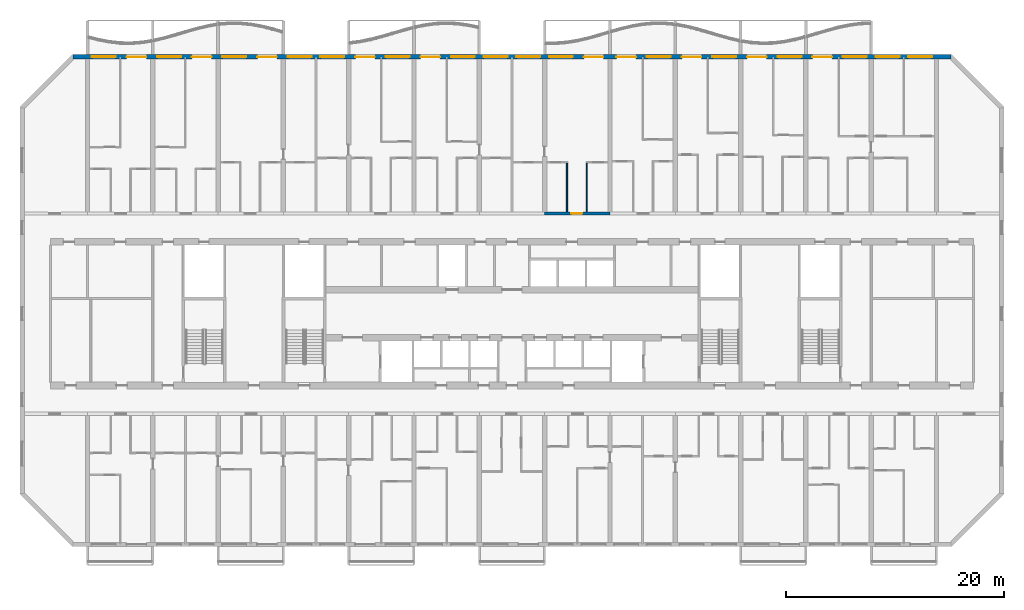
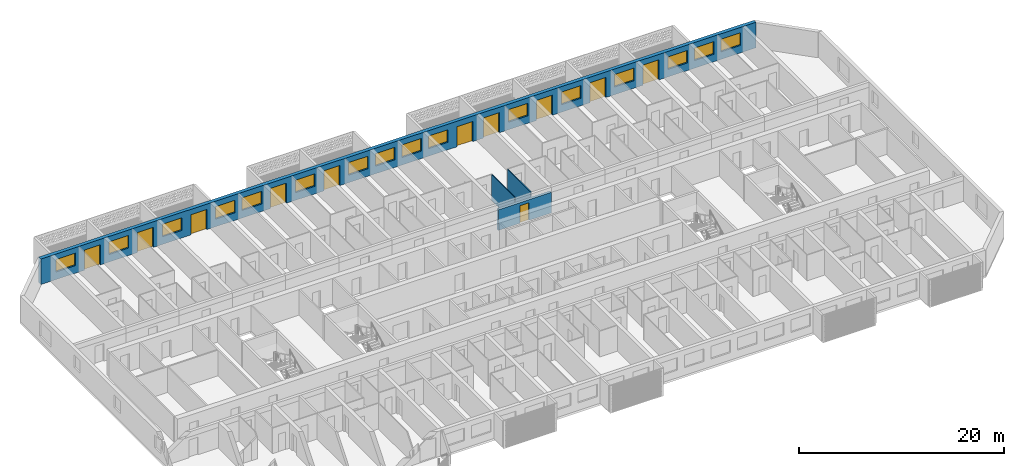
# One storey, part 12 of 39: 16 windows, 11 doors, 4 walls, 27 openings.
"""IFC4 building model written with IfcOpenShell, lengths in metres."""

from ifc_helpers import new_model, si_unit, direction, frame, frame_2d, origin, place, context, subcontext, project, spatial, rectangle, extrude, material, layer, layer_set, type_object, element, fill, save


model = new_model("IFC4")

# Units and contexts
model_context = context("Model", 3, precision=1e-05, world=origin(), true_north=direction((0.0, 1.0)))
body_context = subcontext(model_context, "Body", "Model", "MODEL_VIEW")
ifc_project = project(units=[si_unit("LENGTHUNIT", "METRE"), si_unit("AREAUNIT", "SQUARE_METRE"), si_unit("VOLUMEUNIT", "CUBIC_METRE"), si_unit("PLANEANGLEUNIT", "RADIAN"), si_unit("MASSUNIT", "GRAM", prefix="KILO")], contexts=[model_context])

# Site, building, storey
site_placement = place(None, origin())
site = spatial("IfcSite", under=ifc_project, at=site_placement, CompositionType="ELEMENT")
building_placement = place(site_placement, origin())
building = spatial("IfcBuilding", under=site, at=building_placement, Name="Poui Terraces", CompositionType="ELEMENT")
storey_placement = place(building_placement, frame((0.0, 0.0, 56.39990234375)))
storey = spatial("IfcBuildingStorey", under=building, at=storey_placement, Name="L15", CompositionType="ELEMENT", Elevation=56.39990234375)

# Wall, opening, door
ifc_material_1 = material(Name="Concrete 80 MPa", Category="concrete")
ifc_layer_1 = layer(ifc_material_1, 0.300048828125)
ifc_layer_set_1 = layer_set([ifc_layer_1], Name="Concrete 80 MPa")
wall_type_1 = type_object("IfcWallType", Name="CORRIDOR WALL 300 80MPa", PredefinedType="SHEAR", material=ifc_layer_set_1)
wall_1_placement = place(storey_placement, frame((54.0, 30.39990234375, 0.0), z_axis=(0.0, 0.0, 1.0), x_axis=(1.0, 0.0, 0.0)))
wall_1 = element("IfcWall", 1, at=wall_1_placement, inside=storey, type_object=wall_type_1, Name="CORRIDOR WALL LINE E BAY 9", PredefinedType="SHEAR", context=body_context, shape_type="SweptSolid", body=[
    extrude(rectangle(XDim=6.0, YDim=0.300048828125, at=frame_2d((3.0, 0.0))), origin(), (0.0, 0.0, 1.0), 2.4501953125),
])
opening_1_placement = place(wall_1_placement, frame((2.449951171875, 0.0, 0.0)))
opening_1 = element("IfcOpeningElement", 2, at=opening_1_placement, cuts=wall_1, Name="Opening FD30S", PredefinedType="OPENING", context=body_context, shape_type="SweptSolid", body=[
    extrude(rectangle(XDim=1.0, YDim=2.10009765625, at=frame_2d((0.5, 1.050048828125))), frame((0.0, 0.16015625, 0.0), z_axis=(0.0, -1.0, 0.0), x_axis=(1.0, 0.0, 0.0)), (0.0, 0.0, 1.0), 0.320068359375),
])
ifc_material_2 = material(Name="Steel fire door", Category="steel")
door_type_1 = type_object("IfcDoorType", Name="FLAT ENTRANCE DOOR 1000 X 2100", OperationType="NOTDEFINED", PredefinedType="DOOR", material=ifc_material_2)
door_1_placement = place(opening_1_placement, origin())
door_1 = element("IfcDoor", 3, at=door_1_placement, inside=storey, type_object=door_type_1, Name="FLAT ENTRANCE DOOR 061", OperationType="SINGLE_SWING_LEFT", OverallHeight=2.10009765625, OverallWidth=1.0, PredefinedType="DOOR", context=body_context, shape_type="SweptSolid", body=[
    extrude(rectangle(XDim=1.0, YDim=2.10009765625, at=frame_2d((0.5, 1.050048828125))), frame((0.0, 0.02490234375, 0.0), z_axis=(0.0, -1.0, 0.0), x_axis=(1.0, 0.0, 0.0)), (0.0, 0.0, 1.0), 0.050048828125),
])
fill(opening_1, door_1)

# Wall, openings, doors, windows
ifc_material_3 = material(Name="Precast concrete 40 MPa", Category="concrete")
ifc_layer_2 = layer(ifc_material_3, 0.39990234375)
ifc_layer_set_2 = layer_set([ifc_layer_2], Name="Precast concrete 40 MPa")
wall_type_2 = type_object("IfcWallType", Name="EXTERNAL WALL 400", PredefinedType="STANDARD", material=ifc_layer_set_2)
wall_2_placement = place(storey_placement, frame((91.317138671875, 44.800048828125, 0.0), z_axis=(0.0, 0.0, 1.0), x_axis=(-1.0, 0.0, 0.0)))
wall_2 = element("IfcWall", 4, at=wall_2_placement, inside=storey, type_object=wall_type_2, Name="EXTERNAL WALL N", PredefinedType="STANDARD", context=body_context, shape_type="SweptSolid", body=[
    extrude(rectangle(XDim=80.63427734375, YDim=0.39990234375, at=frame_2d((40.317138671875, 0.0))), origin(), (0.0, 0.0, 1.0), 3.050048828125),
])
opening_2_placement = place(wall_2_placement, frame((76.71728515625, 0.0, 0.89990234375)))
opening_2 = element("IfcOpeningElement", 5, at=opening_2_placement, cuts=wall_2, Name="Opening W1", PredefinedType="OPENING", context=body_context, shape_type="SweptSolid", body=[
    extrude(rectangle(XDim=2.199951171875, YDim=1.5, at=frame_2d((1.10009765625, 0.75))), frame((0.0, 0.2099609375, 0.0), z_axis=(0.0, -1.0, 0.0), x_axis=(1.0, 0.0, 0.0)), (0.0, 0.0, 1.0), 0.419921875),
])
opening_3_placement = place(wall_2_placement, frame((73.917236328125, 0.0, 0.0)))
opening_3 = element("IfcOpeningElement", 6, at=opening_3_placement, cuts=wall_2, Name="Opening BD1", PredefinedType="OPENING", context=body_context, shape_type="SweptSolid", body=[
    extrude(rectangle(XDim=1.800048828125, YDim=2.39990234375, at=frame_2d((0.89990234375, 1.199951171875))), frame((0.0, 0.2099609375, 0.0), z_axis=(0.0, -1.0, 0.0), x_axis=(1.0, 0.0, 0.0)), (0.0, 0.0, 1.0), 0.419921875),
])
opening_4_placement = place(wall_2_placement, frame((70.71728515625, 0.0, 0.89990234375)))
opening_4 = element("IfcOpeningElement", 7, at=opening_4_placement, cuts=wall_2, Name="Opening W1", PredefinedType="OPENING", context=body_context, shape_type="SweptSolid", body=[
    extrude(rectangle(XDim=2.199951171875, YDim=1.5, at=frame_2d((1.10009765625, 0.75))), frame((0.0, 0.2099609375, 0.0), z_axis=(0.0, -1.0, 0.0), x_axis=(1.0, 0.0, 0.0)), (0.0, 0.0, 1.0), 0.419921875),
])
opening_5_placement = place(wall_2_placement, frame((67.917236328125, 0.0, 0.0)))
opening_5 = element("IfcOpeningElement", 8, at=opening_5_placement, cuts=wall_2, Name="Opening BD1", PredefinedType="OPENING", context=body_context, shape_type="SweptSolid", body=[
    extrude(rectangle(XDim=1.800048828125, YDim=2.39990234375, at=frame_2d((0.89990234375, 1.199951171875))), frame((0.0, 0.2099609375, 0.0), z_axis=(0.0, -1.0, 0.0), x_axis=(1.0, 0.0, 0.0)), (0.0, 0.0, 1.0), 0.419921875),
])
opening_6_placement = place(wall_2_placement, frame((64.71728515625, 0.0, 0.89990234375)))
opening_6 = element("IfcOpeningElement", 9, at=opening_6_placement, cuts=wall_2, Name="Opening W1", PredefinedType="OPENING", context=body_context, shape_type="SweptSolid", body=[
    extrude(rectangle(XDim=2.199951171875, YDim=1.5, at=frame_2d((1.10009765625, 0.75))), frame((0.0, 0.2099609375, 0.0), z_axis=(0.0, -1.0, 0.0), x_axis=(1.0, 0.0, 0.0)), (0.0, 0.0, 1.0), 0.419921875),
])
opening_7_placement = place(wall_2_placement, frame((61.917236328125, 0.0, 0.0)))
opening_7 = element("IfcOpeningElement", 10, at=opening_7_placement, cuts=wall_2, Name="Opening BD1", PredefinedType="OPENING", context=body_context, shape_type="SweptSolid", body=[
    extrude(rectangle(XDim=1.800048828125, YDim=2.39990234375, at=frame_2d((0.89990234375, 1.199951171875))), frame((0.0, 0.2099609375, 0.0), z_axis=(0.0, -1.0, 0.0), x_axis=(1.0, 0.0, 0.0)), (0.0, 0.0, 1.0), 0.419921875),
])
opening_8_placement = place(wall_2_placement, frame((58.71728515625, 0.0, 0.89990234375)))
opening_8 = element("IfcOpeningElement", 11, at=opening_8_placement, cuts=wall_2, Name="Opening W1", PredefinedType="OPENING", context=body_context, shape_type="SweptSolid", body=[
    extrude(rectangle(XDim=2.199951171875, YDim=1.5, at=frame_2d((1.10009765625, 0.75))), frame((0.0, 0.2099609375, 0.0), z_axis=(0.0, -1.0, 0.0), x_axis=(1.0, 0.0, 0.0)), (0.0, 0.0, 1.0), 0.419921875),
])
opening_9_placement = place(wall_2_placement, frame((55.71728515625, 0.0, 0.89990234375)))
opening_9 = element("IfcOpeningElement", 12, at=opening_9_placement, cuts=wall_2, Name="Opening W1", PredefinedType="OPENING", context=body_context, shape_type="SweptSolid", body=[
    extrude(rectangle(XDim=2.199951171875, YDim=1.5, at=frame_2d((1.10009765625, 0.75))), frame((0.0, 0.2099609375, 0.0), z_axis=(0.0, -1.0, 0.0), x_axis=(1.0, 0.0, 0.0)), (0.0, 0.0, 1.0), 0.419921875),
])
opening_10_placement = place(wall_2_placement, frame((52.917236328125, 0.0, 0.0)))
opening_10 = element("IfcOpeningElement", 13, at=opening_10_placement, cuts=wall_2, Name="Opening BD1", PredefinedType="OPENING", context=body_context, shape_type="SweptSolid", body=[
    extrude(rectangle(XDim=1.800048828125, YDim=2.39990234375, at=frame_2d((0.89990234375, 1.199951171875))), frame((0.0, 0.2099609375, 0.0), z_axis=(0.0, -1.0, 0.0), x_axis=(1.0, 0.0, 0.0)), (0.0, 0.0, 1.0), 0.419921875),
])
opening_11_placement = place(wall_2_placement, frame((49.71728515625, 0.0, 0.89990234375)))
opening_11 = element("IfcOpeningElement", 14, at=opening_11_placement, cuts=wall_2, Name="Opening W1", PredefinedType="OPENING", context=body_context, shape_type="SweptSolid", body=[
    extrude(rectangle(XDim=2.199951171875, YDim=1.5, at=frame_2d((1.10009765625, 0.75))), frame((0.0, 0.2099609375, 0.0), z_axis=(0.0, -1.0, 0.0), x_axis=(1.0, 0.0, 0.0)), (0.0, 0.0, 1.0), 0.419921875),
])
opening_12_placement = place(wall_2_placement, frame((46.917236328125, 0.0, 0.0)))
opening_12 = element("IfcOpeningElement", 15, at=opening_12_placement, cuts=wall_2, Name="Opening BD1", PredefinedType="OPENING", context=body_context, shape_type="SweptSolid", body=[
    extrude(rectangle(XDim=1.800048828125, YDim=2.39990234375, at=frame_2d((0.89990234375, 1.199951171875))), frame((0.0, 0.2099609375, 0.0), z_axis=(0.0, -1.0, 0.0), x_axis=(1.0, 0.0, 0.0)), (0.0, 0.0, 1.0), 0.419921875),
])
opening_13_placement = place(wall_2_placement, frame((43.71728515625, 0.0, 0.89990234375)))
opening_13 = element("IfcOpeningElement", 16, at=opening_13_placement, cuts=wall_2, Name="Opening W1", PredefinedType="OPENING", context=body_context, shape_type="SweptSolid", body=[
    extrude(rectangle(XDim=2.199951171875, YDim=1.5, at=frame_2d((1.10009765625, 0.75))), frame((0.0, 0.2099609375, 0.0), z_axis=(0.0, -1.0, 0.0), x_axis=(1.0, 0.0, 0.0)), (0.0, 0.0, 1.0), 0.419921875),
])
opening_14_placement = place(wall_2_placement, frame((40.71728515625, 0.0, 0.89990234375)))
opening_14 = element("IfcOpeningElement", 17, at=opening_14_placement, cuts=wall_2, Name="Opening W1", PredefinedType="OPENING", context=body_context, shape_type="SweptSolid", body=[
    extrude(rectangle(XDim=2.199951171875, YDim=1.5, at=frame_2d((1.10009765625, 0.75))), frame((0.0, 0.2099609375, 0.0), z_axis=(0.0, -1.0, 0.0), x_axis=(1.0, 0.0, 0.0)), (0.0, 0.0, 1.0), 0.419921875),
])
opening_15_placement = place(wall_2_placement, frame((37.71728515625, 0.0, 0.89990234375)))
opening_15 = element("IfcOpeningElement", 18, at=opening_15_placement, cuts=wall_2, Name="Opening W1", PredefinedType="OPENING", context=body_context, shape_type="SweptSolid", body=[
    extrude(rectangle(XDim=2.199951171875, YDim=1.5, at=frame_2d((1.10009765625, 0.75))), frame((0.0, 0.2099609375, 0.0), z_axis=(0.0, -1.0, 0.0), x_axis=(1.0, 0.0, 0.0)), (0.0, 0.0, 1.0), 0.419921875),
])
opening_16_placement = place(wall_2_placement, frame((34.71728515625, 0.0, 0.89990234375)))
opening_16 = element("IfcOpeningElement", 19, at=opening_16_placement, cuts=wall_2, Name="Opening W1", PredefinedType="OPENING", context=body_context, shape_type="SweptSolid", body=[
    extrude(rectangle(XDim=2.199951171875, YDim=1.5, at=frame_2d((1.10009765625, 0.75))), frame((0.0, 0.2099609375, 0.0), z_axis=(0.0, -1.0, 0.0), x_axis=(1.0, 0.0, 0.0)), (0.0, 0.0, 1.0), 0.419921875),
])
opening_17_placement = place(wall_2_placement, frame((31.917236328125, 0.0, 0.0)))
opening_17 = element("IfcOpeningElement", 20, at=opening_17_placement, cuts=wall_2, Name="Opening BD1", PredefinedType="OPENING", context=body_context, shape_type="SweptSolid", body=[
    extrude(rectangle(XDim=1.800048828125, YDim=2.39990234375, at=frame_2d((0.89990234375, 1.199951171875))), frame((0.0, 0.2099609375, 0.0), z_axis=(0.0, -1.0, 0.0), x_axis=(1.0, 0.0, 0.0)), (0.0, 0.0, 1.0), 0.419921875),
])
opening_18_placement = place(wall_2_placement, frame((28.917236328125, 0.0, 0.0)))
opening_18 = element("IfcOpeningElement", 21, at=opening_18_placement, cuts=wall_2, Name="Opening BD1", PredefinedType="OPENING", context=body_context, shape_type="SweptSolid", body=[
    extrude(rectangle(XDim=1.800048828125, YDim=2.39990234375, at=frame_2d((0.89990234375, 1.199951171875))), frame((0.0, 0.2099609375, 0.0), z_axis=(0.0, -1.0, 0.0), x_axis=(1.0, 0.0, 0.0)), (0.0, 0.0, 1.0), 0.419921875),
])
opening_19_placement = place(wall_2_placement, frame((25.71728515625, 0.0, 0.89990234375)))
opening_19 = element("IfcOpeningElement", 22, at=opening_19_placement, cuts=wall_2, Name="Opening W1", PredefinedType="OPENING", context=body_context, shape_type="SweptSolid", body=[
    extrude(rectangle(XDim=2.199951171875, YDim=1.5, at=frame_2d((1.10009765625, 0.75))), frame((0.0, 0.2099609375, 0.0), z_axis=(0.0, -1.0, 0.0), x_axis=(1.0, 0.0, 0.0)), (0.0, 0.0, 1.0), 0.419921875),
])
opening_20_placement = place(wall_2_placement, frame((22.917236328125, 0.0, 0.0)))
opening_20 = element("IfcOpeningElement", 23, at=opening_20_placement, cuts=wall_2, Name="Opening BD1", PredefinedType="OPENING", context=body_context, shape_type="SweptSolid", body=[
    extrude(rectangle(XDim=1.800048828125, YDim=2.39990234375, at=frame_2d((0.89990234375, 1.199951171875))), frame((0.0, 0.2099609375, 0.0), z_axis=(0.0, -1.0, 0.0), x_axis=(1.0, 0.0, 0.0)), (0.0, 0.0, 1.0), 0.419921875),
])
opening_21_placement = place(wall_2_placement, frame((19.71728515625, 0.0, 0.89990234375)))
opening_21 = element("IfcOpeningElement", 24, at=opening_21_placement, cuts=wall_2, Name="Opening W1", PredefinedType="OPENING", context=body_context, shape_type="SweptSolid", body=[
    extrude(rectangle(XDim=2.199951171875, YDim=1.5, at=frame_2d((1.10009765625, 0.75))), frame((0.0, 0.2099609375, 0.0), z_axis=(0.0, -1.0, 0.0), x_axis=(1.0, 0.0, 0.0)), (0.0, 0.0, 1.0), 0.419921875),
])
opening_22_placement = place(wall_2_placement, frame((16.917236328125, 0.0, 0.0)))
opening_22 = element("IfcOpeningElement", 25, at=opening_22_placement, cuts=wall_2, Name="Opening BD1", PredefinedType="OPENING", context=body_context, shape_type="SweptSolid", body=[
    extrude(rectangle(XDim=1.800048828125, YDim=2.39990234375, at=frame_2d((0.89990234375, 1.199951171875))), frame((0.0, 0.2099609375, 0.0), z_axis=(0.0, -1.0, 0.0), x_axis=(1.0, 0.0, 0.0)), (0.0, 0.0, 1.0), 0.419921875),
])
opening_23_placement = place(wall_2_placement, frame((13.71728515625, 0.0, 0.89990234375)))
opening_23 = element("IfcOpeningElement", 26, at=opening_23_placement, cuts=wall_2, Name="Opening W1", PredefinedType="OPENING", context=body_context, shape_type="SweptSolid", body=[
    extrude(rectangle(XDim=2.199951171875, YDim=1.5, at=frame_2d((1.10009765625, 0.75))), frame((0.0, 0.2099609375, 0.0), z_axis=(0.0, -1.0, 0.0), x_axis=(1.0, 0.0, 0.0)), (0.0, 0.0, 1.0), 0.419921875),
])
opening_24_placement = place(wall_2_placement, frame((10.917236328125, 0.0, 0.0)))
opening_24 = element("IfcOpeningElement", 27, at=opening_24_placement, cuts=wall_2, Name="Opening BD1", PredefinedType="OPENING", context=body_context, shape_type="SweptSolid", body=[
    extrude(rectangle(XDim=1.800048828125, YDim=2.39990234375, at=frame_2d((0.89990234375, 1.199951171875))), frame((0.0, 0.2099609375, 0.0), z_axis=(0.0, -1.0, 0.0), x_axis=(1.0, 0.0, 0.0)), (0.0, 0.0, 1.0), 0.419921875),
])
opening_25_placement = place(wall_2_placement, frame((7.71728515625, 0.0, 0.89990234375)))
opening_25 = element("IfcOpeningElement", 28, at=opening_25_placement, cuts=wall_2, Name="Opening W1", PredefinedType="OPENING", context=body_context, shape_type="SweptSolid", body=[
    extrude(rectangle(XDim=2.199951171875, YDim=1.5, at=frame_2d((1.10009765625, 0.75))), frame((0.0, 0.2099609375, 0.0), z_axis=(0.0, -1.0, 0.0), x_axis=(1.0, 0.0, 0.0)), (0.0, 0.0, 1.0), 0.419921875),
])
opening_26_placement = place(wall_2_placement, frame((4.71728515625, 0.0, 0.89990234375)))
opening_26 = element("IfcOpeningElement", 29, at=opening_26_placement, cuts=wall_2, Name="Opening W1", PredefinedType="OPENING", context=body_context, shape_type="SweptSolid", body=[
    extrude(rectangle(XDim=2.199951171875, YDim=1.5, at=frame_2d((1.10009765625, 0.75))), frame((0.0, 0.2099609375, 0.0), z_axis=(0.0, -1.0, 0.0), x_axis=(1.0, 0.0, 0.0)), (0.0, 0.0, 1.0), 0.419921875),
])
opening_27_placement = place(wall_2_placement, frame((1.71728515625, 0.0, 0.89990234375)))
opening_27 = element("IfcOpeningElement", 30, at=opening_27_placement, cuts=wall_2, Name="Opening W1", PredefinedType="OPENING", context=body_context, shape_type="SweptSolid", body=[
    extrude(rectangle(XDim=2.199951171875, YDim=1.5, at=frame_2d((1.10009765625, 0.75))), frame((0.0, 0.2099609375, 0.0), z_axis=(0.0, -1.0, 0.0), x_axis=(1.0, 0.0, 0.0)), (0.0, 0.0, 1.0), 0.419921875),
])
ifc_material_4 = material(Name="Clear glass in aluminium frame", Category="aluminium")
door_type_2 = type_object("IfcDoorType", Name="BALCONY DOOR 1800X2400", OperationType="DOUBLE_DOOR_SLIDING", PredefinedType="DOOR", material=ifc_material_4)
door_2_placement = place(opening_3_placement, origin())
door_2 = element("IfcDoor", 31, at=door_2_placement, inside=storey, type_object=door_type_2, Name="BD1 BALCONY DOOR", OperationType="DOUBLE_DOOR_SLIDING", OverallHeight=2.39990234375, OverallWidth=1.800048828125, PredefinedType="DOOR", context=body_context, shape_type="SweptSolid", body=[
    extrude(rectangle(XDim=1.800048828125, YDim=2.39990234375, at=frame_2d((0.89990234375, 1.199951171875))), frame((0.0, 0.02490234375, 0.0), z_axis=(0.0, -1.0, 0.0), x_axis=(1.0, 0.0, 0.0)), (0.0, 0.0, 1.0), 0.050048828125),
])
fill(opening_3, door_2)
door_3_placement = place(opening_5_placement, origin())
door_3 = element("IfcDoor", 32, at=door_3_placement, inside=storey, type_object=door_type_2, Name="BD1 BALCONY DOOR", OperationType="DOUBLE_DOOR_SLIDING", OverallHeight=2.39990234375, OverallWidth=1.800048828125, PredefinedType="DOOR", context=body_context, shape_type="SweptSolid", body=[
    extrude(rectangle(XDim=1.800048828125, YDim=2.39990234375, at=frame_2d((0.89990234375, 1.199951171875))), frame((0.0, 0.02490234375, 0.0), z_axis=(0.0, -1.0, 0.0), x_axis=(1.0, 0.0, 0.0)), (0.0, 0.0, 1.0), 0.050048828125),
])
fill(opening_5, door_3)
door_4_placement = place(opening_7_placement, origin())
door_4 = element("IfcDoor", 33, at=door_4_placement, inside=storey, type_object=door_type_2, Name="BD1 BALCONY DOOR", OperationType="DOUBLE_DOOR_SLIDING", OverallHeight=2.39990234375, OverallWidth=1.800048828125, PredefinedType="DOOR", context=body_context, shape_type="SweptSolid", body=[
    extrude(rectangle(XDim=1.800048828125, YDim=2.39990234375, at=frame_2d((0.89990234375, 1.199951171875))), frame((0.0, 0.02490234375, 0.0), z_axis=(0.0, -1.0, 0.0), x_axis=(1.0, 0.0, 0.0)), (0.0, 0.0, 1.0), 0.050048828125),
])
fill(opening_7, door_4)
door_5_placement = place(opening_10_placement, origin())
door_5 = element("IfcDoor", 34, at=door_5_placement, inside=storey, type_object=door_type_2, Name="BD1 BALCONY DOOR", OperationType="DOUBLE_DOOR_SLIDING", OverallHeight=2.39990234375, OverallWidth=1.800048828125, PredefinedType="DOOR", context=body_context, shape_type="SweptSolid", body=[
    extrude(rectangle(XDim=1.800048828125, YDim=2.39990234375, at=frame_2d((0.89990234375, 1.199951171875))), frame((0.0, 0.02490234375, 0.0), z_axis=(0.0, -1.0, 0.0), x_axis=(1.0, 0.0, 0.0)), (0.0, 0.0, 1.0), 0.050048828125),
])
fill(opening_10, door_5)
door_6_placement = place(opening_12_placement, origin())
door_6 = element("IfcDoor", 35, at=door_6_placement, inside=storey, type_object=door_type_2, Name="BD1 BALCONY DOOR", OperationType="DOUBLE_DOOR_SLIDING", OverallHeight=2.39990234375, OverallWidth=1.800048828125, PredefinedType="DOOR", context=body_context, shape_type="SweptSolid", body=[
    extrude(rectangle(XDim=1.800048828125, YDim=2.39990234375, at=frame_2d((0.89990234375, 1.199951171875))), frame((0.0, 0.02490234375, 0.0), z_axis=(0.0, -1.0, 0.0), x_axis=(1.0, 0.0, 0.0)), (0.0, 0.0, 1.0), 0.050048828125),
])
fill(opening_12, door_6)
door_7_placement = place(opening_17_placement, origin())
door_7 = element("IfcDoor", 36, at=door_7_placement, inside=storey, type_object=door_type_2, Name="BD1 BALCONY DOOR", OperationType="DOUBLE_DOOR_SLIDING", OverallHeight=2.39990234375, OverallWidth=1.800048828125, PredefinedType="DOOR", context=body_context, shape_type="SweptSolid", body=[
    extrude(rectangle(XDim=1.800048828125, YDim=2.39990234375, at=frame_2d((0.89990234375, 1.199951171875))), frame((0.0, 0.02490234375, 0.0), z_axis=(0.0, -1.0, 0.0), x_axis=(1.0, 0.0, 0.0)), (0.0, 0.0, 1.0), 0.050048828125),
])
fill(opening_17, door_7)
door_8_placement = place(opening_18_placement, origin())
door_8 = element("IfcDoor", 37, at=door_8_placement, inside=storey, type_object=door_type_2, Name="BD1 BALCONY DOOR", OperationType="DOUBLE_DOOR_SLIDING", OverallHeight=2.39990234375, OverallWidth=1.800048828125, PredefinedType="DOOR", context=body_context, shape_type="SweptSolid", body=[
    extrude(rectangle(XDim=1.800048828125, YDim=2.39990234375, at=frame_2d((0.89990234375, 1.199951171875))), frame((0.0, 0.02490234375, 0.0), z_axis=(0.0, -1.0, 0.0), x_axis=(1.0, 0.0, 0.0)), (0.0, 0.0, 1.0), 0.050048828125),
])
fill(opening_18, door_8)
door_9_placement = place(opening_20_placement, origin())
door_9 = element("IfcDoor", 38, at=door_9_placement, inside=storey, type_object=door_type_2, Name="BD1 BALCONY DOOR", OperationType="DOUBLE_DOOR_SLIDING", OverallHeight=2.39990234375, OverallWidth=1.800048828125, PredefinedType="DOOR", context=body_context, shape_type="SweptSolid", body=[
    extrude(rectangle(XDim=1.800048828125, YDim=2.39990234375, at=frame_2d((0.89990234375, 1.199951171875))), frame((0.0, 0.02490234375, 0.0), z_axis=(0.0, -1.0, 0.0), x_axis=(1.0, 0.0, 0.0)), (0.0, 0.0, 1.0), 0.050048828125),
])
fill(opening_20, door_9)
door_10_placement = place(opening_22_placement, origin())
door_10 = element("IfcDoor", 39, at=door_10_placement, inside=storey, type_object=door_type_2, Name="BD1 BALCONY DOOR", OperationType="DOUBLE_DOOR_SLIDING", OverallHeight=2.39990234375, OverallWidth=1.800048828125, PredefinedType="DOOR", context=body_context, shape_type="SweptSolid", body=[
    extrude(rectangle(XDim=1.800048828125, YDim=2.39990234375, at=frame_2d((0.89990234375, 1.199951171875))), frame((0.0, 0.02490234375, 0.0), z_axis=(0.0, -1.0, 0.0), x_axis=(1.0, 0.0, 0.0)), (0.0, 0.0, 1.0), 0.050048828125),
])
fill(opening_22, door_10)
door_11_placement = place(opening_24_placement, origin())
door_11 = element("IfcDoor", 40, at=door_11_placement, inside=storey, type_object=door_type_2, Name="BD1 BALCONY DOOR", OperationType="DOUBLE_DOOR_SLIDING", OverallHeight=2.39990234375, OverallWidth=1.800048828125, PredefinedType="DOOR", context=body_context, shape_type="SweptSolid", body=[
    extrude(rectangle(XDim=1.800048828125, YDim=2.39990234375, at=frame_2d((0.89990234375, 1.199951171875))), frame((0.0, 0.02490234375, 0.0), z_axis=(0.0, -1.0, 0.0), x_axis=(1.0, 0.0, 0.0)), (0.0, 0.0, 1.0), 0.050048828125),
])
fill(opening_24, door_11)
window_type = type_object("IfcWindowType", Name="WINDOW 2200X1500", PartitioningType="DOUBLE_PANEL_HORIZONTAL", PredefinedType="WINDOW", material=ifc_material_4)
window_1_placement = place(opening_2_placement, origin())
window_1 = element("IfcWindow", 41, at=window_1_placement, inside=storey, type_object=window_type, Name="W1 WINDOW", OverallHeight=1.5, OverallWidth=2.199951171875, PartitioningType="DOUBLE_PANEL_HORIZONTAL", PredefinedType="WINDOW", context=body_context, shape_type="SweptSolid", body=[
    extrude(rectangle(XDim=2.199951171875, YDim=1.5, at=frame_2d((1.10009765625, 0.75))), frame((0.0, 0.030029296875, 0.0), z_axis=(0.0, -1.0, 0.0), x_axis=(1.0, 0.0, 0.0)), (0.0, 0.0, 1.0), 0.06005859375),
])
fill(opening_2, window_1)
window_2_placement = place(opening_4_placement, origin())
window_2 = element("IfcWindow", 42, at=window_2_placement, inside=storey, type_object=window_type, Name="W1 WINDOW", OverallHeight=1.5, OverallWidth=2.199951171875, PartitioningType="DOUBLE_PANEL_HORIZONTAL", PredefinedType="WINDOW", context=body_context, shape_type="SweptSolid", body=[
    extrude(rectangle(XDim=2.199951171875, YDim=1.5, at=frame_2d((1.10009765625, 0.75))), frame((0.0, 0.030029296875, 0.0), z_axis=(0.0, -1.0, 0.0), x_axis=(1.0, 0.0, 0.0)), (0.0, 0.0, 1.0), 0.06005859375),
])
fill(opening_4, window_2)
window_3_placement = place(opening_6_placement, origin())
window_3 = element("IfcWindow", 43, at=window_3_placement, inside=storey, type_object=window_type, Name="W1 WINDOW", OverallHeight=1.5, OverallWidth=2.199951171875, PartitioningType="DOUBLE_PANEL_HORIZONTAL", PredefinedType="WINDOW", context=body_context, shape_type="SweptSolid", body=[
    extrude(rectangle(XDim=2.199951171875, YDim=1.5, at=frame_2d((1.10009765625, 0.75))), frame((0.0, 0.030029296875, 0.0), z_axis=(0.0, -1.0, 0.0), x_axis=(1.0, 0.0, 0.0)), (0.0, 0.0, 1.0), 0.06005859375),
])
fill(opening_6, window_3)
window_4_placement = place(opening_8_placement, origin())
window_4 = element("IfcWindow", 44, at=window_4_placement, inside=storey, type_object=window_type, Name="W1 WINDOW", OverallHeight=1.5, OverallWidth=2.199951171875, PartitioningType="DOUBLE_PANEL_HORIZONTAL", PredefinedType="WINDOW", context=body_context, shape_type="SweptSolid", body=[
    extrude(rectangle(XDim=2.199951171875, YDim=1.5, at=frame_2d((1.10009765625, 0.75))), frame((0.0, 0.030029296875, 0.0), z_axis=(0.0, -1.0, 0.0), x_axis=(1.0, 0.0, 0.0)), (0.0, 0.0, 1.0), 0.06005859375),
])
fill(opening_8, window_4)
window_5_placement = place(opening_9_placement, origin())
window_5 = element("IfcWindow", 45, at=window_5_placement, inside=storey, type_object=window_type, Name="W1 WINDOW", OverallHeight=1.5, OverallWidth=2.199951171875, PartitioningType="DOUBLE_PANEL_HORIZONTAL", PredefinedType="WINDOW", context=body_context, shape_type="SweptSolid", body=[
    extrude(rectangle(XDim=2.199951171875, YDim=1.5, at=frame_2d((1.10009765625, 0.75))), frame((0.0, 0.030029296875, 0.0), z_axis=(0.0, -1.0, 0.0), x_axis=(1.0, 0.0, 0.0)), (0.0, 0.0, 1.0), 0.06005859375),
])
fill(opening_9, window_5)
window_6_placement = place(opening_11_placement, origin())
window_6 = element("IfcWindow", 46, at=window_6_placement, inside=storey, type_object=window_type, Name="W1 WINDOW", OverallHeight=1.5, OverallWidth=2.199951171875, PartitioningType="DOUBLE_PANEL_HORIZONTAL", PredefinedType="WINDOW", context=body_context, shape_type="SweptSolid", body=[
    extrude(rectangle(XDim=2.199951171875, YDim=1.5, at=frame_2d((1.10009765625, 0.75))), frame((0.0, 0.030029296875, 0.0), z_axis=(0.0, -1.0, 0.0), x_axis=(1.0, 0.0, 0.0)), (0.0, 0.0, 1.0), 0.06005859375),
])
fill(opening_11, window_6)
window_7_placement = place(opening_13_placement, origin())
window_7 = element("IfcWindow", 47, at=window_7_placement, inside=storey, type_object=window_type, Name="W1 WINDOW", OverallHeight=1.5, OverallWidth=2.199951171875, PartitioningType="DOUBLE_PANEL_HORIZONTAL", PredefinedType="WINDOW", context=body_context, shape_type="SweptSolid", body=[
    extrude(rectangle(XDim=2.199951171875, YDim=1.5, at=frame_2d((1.10009765625, 0.75))), frame((0.0, 0.030029296875, 0.0), z_axis=(0.0, -1.0, 0.0), x_axis=(1.0, 0.0, 0.0)), (0.0, 0.0, 1.0), 0.06005859375),
])
fill(opening_13, window_7)
window_8_placement = place(opening_14_placement, origin())
window_8 = element("IfcWindow", 48, at=window_8_placement, inside=storey, type_object=window_type, Name="W1 WINDOW", OverallHeight=1.5, OverallWidth=2.199951171875, PartitioningType="DOUBLE_PANEL_HORIZONTAL", PredefinedType="WINDOW", context=body_context, shape_type="SweptSolid", body=[
    extrude(rectangle(XDim=2.199951171875, YDim=1.5, at=frame_2d((1.10009765625, 0.75))), frame((0.0, 0.030029296875, 0.0), z_axis=(0.0, -1.0, 0.0), x_axis=(1.0, 0.0, 0.0)), (0.0, 0.0, 1.0), 0.06005859375),
])
fill(opening_14, window_8)
window_9_placement = place(opening_15_placement, origin())
window_9 = element("IfcWindow", 49, at=window_9_placement, inside=storey, type_object=window_type, Name="W1 WINDOW", OverallHeight=1.5, OverallWidth=2.199951171875, PartitioningType="DOUBLE_PANEL_HORIZONTAL", PredefinedType="WINDOW", context=body_context, shape_type="SweptSolid", body=[
    extrude(rectangle(XDim=2.199951171875, YDim=1.5, at=frame_2d((1.10009765625, 0.75))), frame((0.0, 0.030029296875, 0.0), z_axis=(0.0, -1.0, 0.0), x_axis=(1.0, 0.0, 0.0)), (0.0, 0.0, 1.0), 0.06005859375),
])
fill(opening_15, window_9)
window_10_placement = place(opening_16_placement, origin())
window_10 = element("IfcWindow", 50, at=window_10_placement, inside=storey, type_object=window_type, Name="W1 WINDOW", OverallHeight=1.5, OverallWidth=2.199951171875, PartitioningType="DOUBLE_PANEL_HORIZONTAL", PredefinedType="WINDOW", context=body_context, shape_type="SweptSolid", body=[
    extrude(rectangle(XDim=2.199951171875, YDim=1.5, at=frame_2d((1.10009765625, 0.75))), frame((0.0, 0.030029296875, 0.0), z_axis=(0.0, -1.0, 0.0), x_axis=(1.0, 0.0, 0.0)), (0.0, 0.0, 1.0), 0.06005859375),
])
fill(opening_16, window_10)
window_11_placement = place(opening_19_placement, origin())
window_11 = element("IfcWindow", 51, at=window_11_placement, inside=storey, type_object=window_type, Name="W1 WINDOW", OverallHeight=1.5, OverallWidth=2.199951171875, PartitioningType="DOUBLE_PANEL_HORIZONTAL", PredefinedType="WINDOW", context=body_context, shape_type="SweptSolid", body=[
    extrude(rectangle(XDim=2.199951171875, YDim=1.5, at=frame_2d((1.10009765625, 0.75))), frame((0.0, 0.030029296875, 0.0), z_axis=(0.0, -1.0, 0.0), x_axis=(1.0, 0.0, 0.0)), (0.0, 0.0, 1.0), 0.06005859375),
])
fill(opening_19, window_11)
window_12_placement = place(opening_21_placement, origin())
window_12 = element("IfcWindow", 52, at=window_12_placement, inside=storey, type_object=window_type, Name="W1 WINDOW", OverallHeight=1.5, OverallWidth=2.199951171875, PartitioningType="DOUBLE_PANEL_HORIZONTAL", PredefinedType="WINDOW", context=body_context, shape_type="SweptSolid", body=[
    extrude(rectangle(XDim=2.199951171875, YDim=1.5, at=frame_2d((1.10009765625, 0.75))), frame((0.0, 0.030029296875, 0.0), z_axis=(0.0, -1.0, 0.0), x_axis=(1.0, 0.0, 0.0)), (0.0, 0.0, 1.0), 0.06005859375),
])
fill(opening_21, window_12)
window_13_placement = place(opening_23_placement, origin())
window_13 = element("IfcWindow", 53, at=window_13_placement, inside=storey, type_object=window_type, Name="W1 WINDOW", OverallHeight=1.5, OverallWidth=2.199951171875, PartitioningType="DOUBLE_PANEL_HORIZONTAL", PredefinedType="WINDOW", context=body_context, shape_type="SweptSolid", body=[
    extrude(rectangle(XDim=2.199951171875, YDim=1.5, at=frame_2d((1.10009765625, 0.75))), frame((0.0, 0.030029296875, 0.0), z_axis=(0.0, -1.0, 0.0), x_axis=(1.0, 0.0, 0.0)), (0.0, 0.0, 1.0), 0.06005859375),
])
fill(opening_23, window_13)
window_14_placement = place(opening_25_placement, origin())
window_14 = element("IfcWindow", 54, at=window_14_placement, inside=storey, type_object=window_type, Name="W1 WINDOW", OverallHeight=1.5, OverallWidth=2.199951171875, PartitioningType="DOUBLE_PANEL_HORIZONTAL", PredefinedType="WINDOW", context=body_context, shape_type="SweptSolid", body=[
    extrude(rectangle(XDim=2.199951171875, YDim=1.5, at=frame_2d((1.10009765625, 0.75))), frame((0.0, 0.030029296875, 0.0), z_axis=(0.0, -1.0, 0.0), x_axis=(1.0, 0.0, 0.0)), (0.0, 0.0, 1.0), 0.06005859375),
])
fill(opening_25, window_14)
window_15_placement = place(opening_26_placement, origin())
window_15 = element("IfcWindow", 55, at=window_15_placement, inside=storey, type_object=window_type, Name="W1 WINDOW", OverallHeight=1.5, OverallWidth=2.199951171875, PartitioningType="DOUBLE_PANEL_HORIZONTAL", PredefinedType="WINDOW", context=body_context, shape_type="SweptSolid", body=[
    extrude(rectangle(XDim=2.199951171875, YDim=1.5, at=frame_2d((1.10009765625, 0.75))), frame((0.0, 0.030029296875, 0.0), z_axis=(0.0, -1.0, 0.0), x_axis=(1.0, 0.0, 0.0)), (0.0, 0.0, 1.0), 0.06005859375),
])
fill(opening_26, window_15)
window_16_placement = place(opening_27_placement, origin())
window_16 = element("IfcWindow", 56, at=window_16_placement, inside=storey, type_object=window_type, Name="W1 WINDOW", OverallHeight=1.5, OverallWidth=2.199951171875, PartitioningType="DOUBLE_PANEL_HORIZONTAL", PredefinedType="WINDOW", context=body_context, shape_type="SweptSolid", body=[
    extrude(rectangle(XDim=2.199951171875, YDim=1.5, at=frame_2d((1.10009765625, 0.75))), frame((0.0, 0.030029296875, 0.0), z_axis=(0.0, -1.0, 0.0), x_axis=(1.0, 0.0, 0.0)), (0.0, 0.0, 1.0), 0.06005859375),
])
fill(opening_27, window_16)

# Walls
ifc_material_5 = material(Name="Plasterboard partition")
ifc_layer_3 = layer(ifc_material_5, 0.10009765625)
ifc_layer_set_3 = layer_set([ifc_layer_3], Name="Plasterboard partition")
wall_type_3 = type_object("IfcWallType", Name="FLAT PARTITION 100", PredefinedType="PARTITIONING", material=ifc_layer_set_3)
for number, where, z_axis, x_axis, name in (
    (57, (56.050048828125, 30.56005859375, 0.0), (0.0, 0.0, 1.0), (0.0, 1.0, 0.0), "FLAT PARTITION 100"),
    (58, (57.85009765625, 30.56005859375, 0.0), (0.0, 0.0, 1.0), (0.0, 1.0, 0.0), "FLAT PARTITION 100"),
):
    element("IfcWall", number, at=place(storey_placement, frame(where, z_axis=z_axis, x_axis=x_axis)), inside=storey, type_object=wall_type_3, Name=name, PredefinedType="PARTITIONING", context=body_context, shape_type="SweptSolid", body=[
        extrude(rectangle(XDim=4.489990234375, YDim=0.10009765625, at=frame_2d((2.2451171875, 0.0))), origin(), (0.0, 0.0, 1.0), 3.050048828125),
    ])

save(model, "model.ifc")
